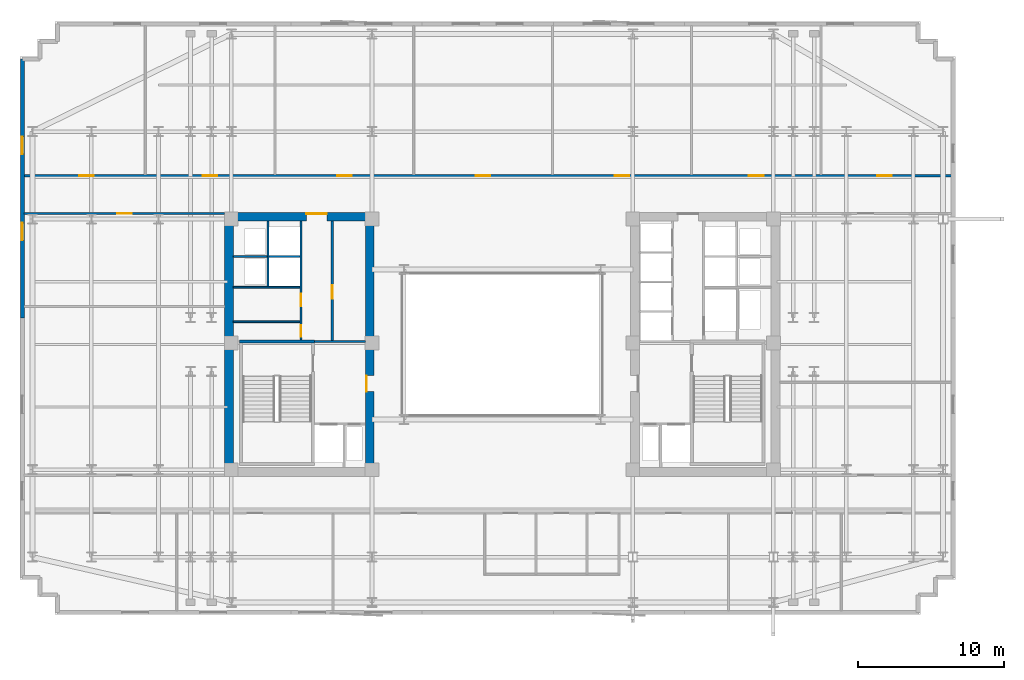
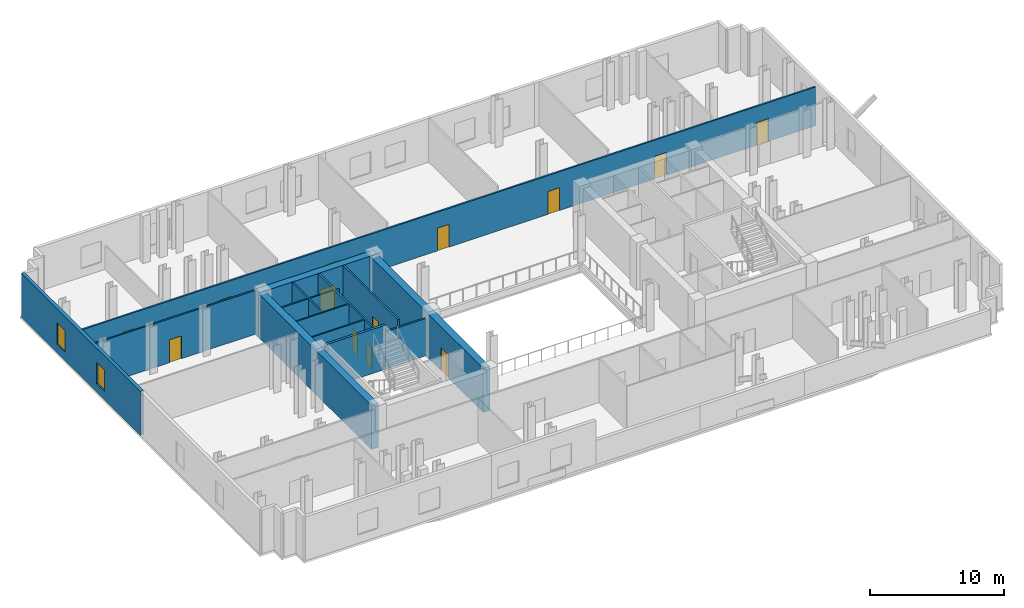
# One storey, part 5 of 9: 15 walls, 13 doors, 2 windows, 15 openings.
"""IFC4 building model written with IfcOpenShell, lengths in metres."""

from ifc_helpers import new_model, si_unit, direction, frame, frame_2d, origin, place, context, subcontext, project, spatial, rectangle, extrude, material, layer, layer_set, type_object, element, fill, save


model = new_model("IFC4")

# Units and contexts
model_context = context("Model", 3, precision=1e-05, world=origin(), true_north=direction((0.0, 1.0)))
body_context = subcontext(model_context, "Body", "Model", "MODEL_VIEW")
ifc_project = project(units=[si_unit("LENGTHUNIT", "METRE"), si_unit("AREAUNIT", "SQUARE_METRE"), si_unit("VOLUMEUNIT", "CUBIC_METRE"), si_unit("PLANEANGLEUNIT", "RADIAN"), si_unit("MASSUNIT", "GRAM", prefix="KILO")], contexts=[model_context])

# Site, building, storey
site_placement = place(None, origin())
site = spatial("IfcSite", under=ifc_project, at=site_placement, CompositionType="ELEMENT")
building_placement = place(site_placement, origin())
building = spatial("IfcBuilding", under=site, at=building_placement, Name="Velakula Bourse", CompositionType="ELEMENT")
storey_placement = place(building_placement, frame((0.0, 0.0, 151.89990234375)))
storey = spatial("IfcBuildingStorey", under=building, at=storey_placement, Name="L41", CompositionType="ELEMENT", Elevation=151.89990234375)

# Wall
ifc_material_1 = material(Name="Concrete M50 (fck 50 MPa)", Category="concrete")
ifc_layer_1 = layer(ifc_material_1, 0.2099609375, Name="Concrete M50 (fck 50 MPa)", Category="concrete")
ifc_layer_set_1 = layer_set([ifc_layer_1], Name="Concrete M50 (fck 50 MPa)")
wall_type_1 = type_object("IfcWallType", Name="WL-CORE-210", PredefinedType="SHEAR", material=ifc_layer_set_1)
wall_1_placement = place(storey_placement, frame((-12.889892578125, 0.205078125, 0.0), z_axis=(0.0, 0.0, 1.0), x_axis=(-1.0, 0.0, 0.0)))
element("IfcWall", 1, at=wall_1_placement, inside=storey, type_object=wall_type_1, Name="L41 Core W Stairwell Shear Wall N", PredefinedType="SHEAR", context=body_context, shape_type="SweptSolid", body=[
    extrude(rectangle(XDim=5.14013671875, YDim=0.2099609375, at=frame_2d((2.570068359375, 0.0))), origin(), (0.0, 0.0, 1.0), 4.02001953125),
])

# Wall, opening, door
ifc_material_2 = material(Name="Concrete M70 (fck 70 MPa)", Category="concrete")
ifc_layer_2 = layer(ifc_material_2, 0.60009765625, Name="Concrete M70 (fck 70 MPa)", Category="concrete")
ifc_layer_set_2 = layer_set([ifc_layer_2], Name="Concrete M70 (fck 70 MPa)")
wall_type_2 = type_object("IfcWallType", Name="WL-CORE-600", PredefinedType="SHEAR", material=ifc_layer_set_2)
wall_2_placement = place(storey_placement, frame((-19.050048828125, 8.75, 0.0), z_axis=(0.0, 0.0, 1.0), x_axis=(1.0, 0.0, 0.0)))
wall_2 = element("IfcWall", 2, at=wall_2_placement, inside=storey, type_object=wall_type_2, Name="L41 Core W Shear Wall N", PredefinedType="SHEAR", context=body_context, shape_type="SweptSolid", body=[
    extrude(rectangle(XDim=10.25, YDim=0.60009765625, at=frame_2d((5.125, 0.0))), origin(), (0.0, 0.0, 1.0), 4.02001953125),
])
opening_1_placement = place(wall_2_placement, frame((5.60009765625, 0.0, 0.0)))
opening_1 = element("IfcOpeningElement", 3, at=opening_1_placement, cuts=wall_2, Name="Opening D-LLW", PredefinedType="OPENING", context=body_context, shape_type="SweptSolid", body=[
    extrude(rectangle(XDim=1.39990234375, YDim=2.050048828125, at=frame_2d((0.699951171875, 1.02490234375))), frame((0.0, 0.31005859375, 0.0), z_axis=(0.0, -1.0, 0.0), x_axis=(1.0, 0.0, 0.0)), (0.0, 0.0, 1.0), 0.6201171875),
])
ifc_material_3 = material(Name="Fire-rated hardwood flush architectural door", Category="wood")
door_type_1 = type_object("IfcDoorType", Name="DR-DBL-FD60-1400", OperationType="DOUBLE_DOOR_SINGLE_SWING", PredefinedType="DOOR", material=ifc_material_3)
door_1_placement = place(opening_1_placement, origin())
door_1 = element("IfcDoor", 4, at=door_1_placement, inside=storey, type_object=door_type_1, Name="L41 Core W Lift Lobby Corridor Double Door", OperationType="DOUBLE_DOOR_SINGLE_SWING", OverallHeight=2.050048828125, OverallWidth=1.39990234375, PredefinedType="DOOR", context=body_context, shape_type="SweptSolid", body=[
    extrude(rectangle(XDim=1.39990234375, YDim=2.050048828125, at=frame_2d((0.699951171875, 1.02490234375))), frame((0.0, 0.2451171875, 0.0), z_axis=(0.0, -1.0, 0.0), x_axis=(1.0, 0.0, 0.0)), (0.0, 0.0, 1.0), 0.050048828125),
])
fill(opening_1, door_1)

# Wall
wall_3_placement = place(storey_placement, frame((-18.75, -8.449951171875, 0.0), z_axis=(0.0, 0.0, 1.0), x_axis=(0.0, 1.0, 0.0)))
element("IfcWall", 5, at=wall_3_placement, inside=storey, type_object=wall_type_2, Name="L41 Core W Shear Wall W", PredefinedType="SHEAR", context=body_context, shape_type="SweptSolid", body=[
    extrude(rectangle(XDim=16.89990234375, YDim=0.60009765625, at=frame_2d((8.449951171875, 0.0))), origin(), (0.0, 0.0, 1.0), 4.02001953125),
])

# Wall, opening, door
wall_4_placement = place(storey_placement, frame((-9.10009765625, -8.449951171875, 0.0), z_axis=(0.0, 0.0, 1.0), x_axis=(0.0, 1.0, 0.0)))
wall_4 = element("IfcWall", 6, at=wall_4_placement, inside=storey, type_object=wall_type_2, Name="L41 Core W Shear Wall E", PredefinedType="SHEAR", context=body_context, shape_type="SweptSolid", body=[
    extrude(rectangle(XDim=16.89990234375, YDim=0.60009765625, at=frame_2d((8.449951171875, 0.0))), origin(), (0.0, 0.0, 1.0), 4.02001953125),
])
opening_2_placement = place(wall_4_placement, frame((5.199951171875, 0.0, 0.0)))
opening_2 = element("IfcOpeningElement", 7, at=opening_2_placement, cuts=wall_4, Name="Opening D-FLW", PredefinedType="OPENING", context=body_context, shape_type="SweptSolid", body=[
    extrude(rectangle(XDim=1.10009765625, YDim=2.080078125, at=frame_2d((0.550048828125, 1.0400390625))), frame((0.0, 0.31005859375, 0.0), z_axis=(0.0, -1.0, 0.0), x_axis=(1.0, 0.0, 0.0)), (0.0, 0.0, 1.0), 0.6201171875),
])
ifc_material_4 = material(Name="Galvanised painted hollow steel fire door", Category="steel")
door_type_2 = type_object("IfcDoorType", Name="DR-FD120-1100", OperationType="NOTDEFINED", PredefinedType="DOOR", material=ifc_material_4)
door_2_placement = place(opening_2_placement, origin())
door_2 = element("IfcDoor", 8, at=door_2_placement, inside=storey, type_object=door_type_2, Name="L41 Firefighting Lobby W Corridor Fire Door", OperationType="SINGLE_SWING_LEFT", OverallHeight=2.080078125, OverallWidth=1.10009765625, PredefinedType="DOOR", context=body_context, shape_type="SweptSolid", body=[
    extrude(rectangle(XDim=1.10009765625, YDim=2.080078125, at=frame_2d((0.550048828125, 1.0400390625))), frame((0.0, 0.2548828125, 0.0), z_axis=(0.0, -1.0, 0.0), x_axis=(1.0, 0.0, 0.0)), (0.0, 0.0, 1.0), 0.050048828125),
])
fill(opening_2, door_2)

# Wall, openings, windows
ifc_material_5 = material(Name="Red kilned clay facing brick masonry", Category="masonry")
ifc_layer_3 = layer(ifc_material_5, 0.280029296875, Name="Red kilned clay facing brick masonry", Category="masonry")
ifc_layer_set_3 = layer_set([ifc_layer_3], Name="Red kilned clay facing brick masonry")
wall_type_3 = type_object("IfcWallType", Name="WL-EXT-BRK-280", PredefinedType="STANDARD", material=ifc_layer_set_3)
wall_5_placement = place(storey_placement, frame((-32.93994140625, 1.800048828125, 0.0), z_axis=(0.0, 0.0, 1.0), x_axis=(0.0, 1.0, 0.0)))
wall_5 = element("IfcWall", 9, at=wall_5_placement, inside=storey, type_object=wall_type_3, Name="L41 W Brick End Wall W2", PredefinedType="STANDARD", context=body_context, shape_type="SweptSolid", body=[
    extrude(rectangle(XDim=17.7900390625, YDim=0.280029296875, at=frame_2d((8.89501953125, 0.0))), origin(), (0.0, 0.0, 1.0), 4.0),
])
opening_3_placement = place(wall_5_placement, frame((5.330078125, 0.0, 0.760009765625)))
opening_3 = element("IfcOpeningElement", 10, at=opening_3_placement, cuts=wall_5, Name="Opening W-04", PredefinedType="OPENING", context=body_context, shape_type="SweptSolid", body=[
    extrude(rectangle(XDim=1.199951171875, YDim=1.949951171875, at=frame_2d((0.60009765625, 0.97509765625))), frame((0.0, 0.14990234375, 0.0), z_axis=(0.0, -1.0, 0.0), x_axis=(1.0, 0.0, 0.0)), (0.0, 0.0, 1.0), 0.300048828125),
])
opening_4_placement = place(wall_5_placement, frame((11.260009765625, 0.0, 0.760009765625)))
opening_4 = element("IfcOpeningElement", 11, at=opening_4_placement, cuts=wall_5, Name="Opening W-04", PredefinedType="OPENING", context=body_context, shape_type="SweptSolid", body=[
    extrude(rectangle(XDim=1.199951171875, YDim=1.949951171875, at=frame_2d((0.60009765625, 0.97509765625))), frame((0.0, 0.14990234375, 0.0), z_axis=(0.0, -1.0, 0.0), x_axis=(1.0, 0.0, 0.0)), (0.0, 0.0, 1.0), 0.300048828125),
])
ifc_material_6 = material(Name="Double-glazed solar-control Low-E glass", Category="glass")
window_type = type_object("IfcWindowType", Name="WIN-TWR-1200x2100", PartitioningType="SINGLE_PANEL", PredefinedType="WINDOW", material=ifc_material_6)
window_1_placement = place(opening_3_placement, origin())
window_1 = element("IfcWindow", 12, at=window_1_placement, inside=storey, type_object=window_type, Name="L41 Deep-Set Recessed Window 1", OverallHeight=1.949951171875, OverallWidth=1.199951171875, PartitioningType="SINGLE_PANEL", PredefinedType="WINDOW", context=body_context, shape_type="SweptSolid", body=[
    extrude(rectangle(XDim=1.199951171875, YDim=1.949951171875, at=frame_2d((0.60009765625, 0.97509765625))), frame((0.0, 0.030029296875, 0.0), z_axis=(0.0, -1.0, 0.0), x_axis=(1.0, 0.0, 0.0)), (0.0, 0.0, 1.0), 0.06005859375),
])
fill(opening_3, window_1)
window_2_placement = place(opening_4_placement, origin())
window_2 = element("IfcWindow", 13, at=window_2_placement, inside=storey, type_object=window_type, Name="L41 Deep-Set Recessed Window 2", OverallHeight=1.949951171875, OverallWidth=1.199951171875, PartitioningType="SINGLE_PANEL", PredefinedType="WINDOW", context=body_context, shape_type="SweptSolid", body=[
    extrude(rectangle(XDim=1.199951171875, YDim=1.949951171875, at=frame_2d((0.60009765625, 0.97509765625))), frame((0.0, 0.030029296875, 0.0), z_axis=(0.0, -1.0, 0.0), x_axis=(1.0, 0.0, 0.0)), (0.0, 0.0, 1.0), 0.06005859375),
])
fill(opening_4, window_2)

# Walls
ifc_material_7 = material(Name="Fire-rated double-layer gypsum drywall partition", Category="gypsum")
ifc_layer_4 = layer(ifc_material_7, 0.1201171875, Name="Fire-rated double-layer gypsum drywall partition", Category="gypsum")
ifc_layer_set_4 = layer_set([ifc_layer_4], Name="Fire-rated double-layer gypsum drywall partition")
wall_type_4 = type_object("IfcWallType", Name="WL-PART-120", PredefinedType="STANDARD", material=ifc_layer_set_4)
wall_6_placement = place(storey_placement, frame((-18.449951171875, 3.919921875, 0.0), z_axis=(0.0, 0.0, 1.0), x_axis=(1.0, 0.0, 0.0)))
element("IfcWall", 14, at=wall_6_placement, inside=storey, type_object=wall_type_4, Name="L41 Interior Partition WL-CRW-L41-HI-S", PredefinedType="STANDARD", context=body_context, shape_type="SweptSolid", body=[
    extrude(rectangle(XDim=4.550048828125, YDim=0.1201171875, at=frame_2d((2.27490234375, 0.0))), origin(), (0.0, 0.0, 1.0), 4.0),
])
wall_7_placement = place(storey_placement, frame((-18.449951171875, 6.030029296875, 0.0), z_axis=(0.0, 0.0, 1.0), x_axis=(1.0, 0.0, 0.0)))
element("IfcWall", 15, at=wall_7_placement, inside=storey, type_object=wall_type_4, Name="L41 Interior Partition WL-CRW-L41-RIS-MID", PredefinedType="STANDARD", context=body_context, shape_type="SweptSolid", body=[
    extrude(rectangle(XDim=2.300048828125, YDim=0.1201171875, at=frame_2d((1.14990234375, 0.0))), origin(), (0.0, 0.0, 1.0), 4.0),
])
wall_8_placement = place(storey_placement, frame((-16.074951171875, 3.97998046875, 0.0), z_axis=(0.0, 0.0, 1.0), x_axis=(0.0, 1.0, 0.0)))
element("IfcWall", 16, at=wall_8_placement, inside=storey, type_object=wall_type_4, Name="L41 Interior Partition WL-CRW-L41-RIS-F", PredefinedType="STANDARD", context=body_context, shape_type="SweptSolid", body=[
    extrude(rectangle(XDim=4.469970703125, YDim=0.1201171875, at=frame_2d((2.23486328125, 0.0))), origin(), (0.0, 0.0, 1.0), 4.0),
])
wall_9_placement = place(storey_placement, frame((-16.0, 6.030029296875, 0.0), z_axis=(0.0, 0.0, 1.0), x_axis=(1.0, 0.0, 0.0)))
element("IfcWall", 17, at=wall_9_placement, inside=storey, type_object=wall_type_4, Name="L41 Interior Partition WL-CRW-L41-HI-DIV", PredefinedType="STANDARD", context=body_context, shape_type="SweptSolid", body=[
    extrude(rectangle(XDim=2.10009765625, YDim=0.1201171875, at=frame_2d((1.050048828125, 0.0))), origin(), (0.0, 0.0, 1.0), 4.0),
])
wall_10_placement = place(storey_placement, frame((-18.449951171875, 1.550048828125, 0.0), z_axis=(0.0, 0.0, 1.0), x_axis=(1.0, 0.0, 0.0)))
element("IfcWall", 18, at=wall_10_placement, inside=storey, type_object=wall_type_4, Name="L41 Interior Partition WL-CRW-L41-K1", PredefinedType="STANDARD", context=body_context, shape_type="SweptSolid", body=[
    extrude(rectangle(XDim=4.550048828125, YDim=0.1201171875, at=frame_2d((2.27490234375, 0.0))), origin(), (0.0, 0.0, 1.0), 4.0),
])

# Wall, openings, doors
ifc_layer_5 = layer(ifc_material_7, 0.139892578125, Name="Fire-rated double-layer gypsum drywall partition", Category="gypsum")
ifc_layer_set_5 = layer_set([ifc_layer_5], Name="Fire-rated double-layer gypsum drywall partition")
wall_type_5 = type_object("IfcWallType", Name="WL-PART-140", PredefinedType="STANDARD", material=ifc_layer_set_5)
wall_11_placement = place(storey_placement, frame((-32.820068359375, 11.570068359375, 0.0), z_axis=(0.0, 0.0, 1.0), x_axis=(1.0, 0.0, 0.0)))
wall_11 = element("IfcWall", 19, at=wall_11_placement, inside=storey, type_object=wall_type_5, Name="L41 Interior Partition WL-INT-L41-N-CORR", PredefinedType="STANDARD", context=body_context, shape_type="SweptSolid", body=[
    extrude(rectangle(XDim=63.64013671875, YDim=0.139892578125, at=frame_2d((31.820068359375, 0.0))), origin(), (0.0, 0.0, 1.0), 3.545166015625),
])
opening_5_placement = place(wall_11_placement, frame((3.784912109375, 0.0, 0.0)))
opening_5 = element("IfcOpeningElement", 20, at=opening_5_placement, cuts=wall_11, Name="Opening D-OF1", PredefinedType="OPENING", context=body_context, shape_type="SweptSolid", body=[
    extrude(rectangle(XDim=1.0, YDim=2.080078125, at=frame_2d((0.5, 1.0400390625))), frame((0.0, 0.079833984375, 0.0), z_axis=(0.0, -1.0, 0.0), x_axis=(1.0, 0.0, 0.0)), (0.0, 0.0, 1.0), 0.159912109375),
])
opening_6_placement = place(wall_11_placement, frame((12.263916015625, 0.0, 0.0)))
opening_6 = element("IfcOpeningElement", 21, at=opening_6_placement, cuts=wall_11, Name="Opening D-OF1", PredefinedType="OPENING", context=body_context, shape_type="SweptSolid", body=[
    extrude(rectangle(XDim=1.0, YDim=2.080078125, at=frame_2d((0.5, 1.0400390625))), frame((0.0, 0.079833984375, 0.0), z_axis=(0.0, -1.0, 0.0), x_axis=(1.0, 0.0, 0.0)), (0.0, 0.0, 1.0), 0.159912109375),
])
opening_7_placement = place(wall_11_placement, frame((21.47412109375, 0.0, 0.0)))
opening_7 = element("IfcOpeningElement", 22, at=opening_7_placement, cuts=wall_11, Name="Opening D-OF1", PredefinedType="OPENING", context=body_context, shape_type="SweptSolid", body=[
    extrude(rectangle(XDim=1.0, YDim=2.080078125, at=frame_2d((0.5, 1.0400390625))), frame((0.0, 0.079833984375, 0.0), z_axis=(0.0, -1.0, 0.0), x_axis=(1.0, 0.0, 0.0)), (0.0, 0.0, 1.0), 0.159912109375),
])
opening_8_placement = place(wall_11_placement, frame((31.001953125, 0.0, 0.0)))
opening_8 = element("IfcOpeningElement", 23, at=opening_8_placement, cuts=wall_11, Name="Opening D-OF1", PredefinedType="OPENING", context=body_context, shape_type="SweptSolid", body=[
    extrude(rectangle(XDim=1.0, YDim=2.080078125, at=frame_2d((0.5, 1.0400390625))), frame((0.0, 0.079833984375, 0.0), z_axis=(0.0, -1.0, 0.0), x_axis=(1.0, 0.0, 0.0)), (0.0, 0.0, 1.0), 0.159912109375),
])
opening_9_placement = place(wall_11_placement, frame((40.530029296875, 0.0, 0.0)))
opening_9 = element("IfcOpeningElement", 24, at=opening_9_placement, cuts=wall_11, Name="Opening D-OF1", PredefinedType="OPENING", context=body_context, shape_type="SweptSolid", body=[
    extrude(rectangle(XDim=1.0, YDim=2.080078125, at=frame_2d((0.5, 1.0400390625))), frame((0.0, 0.079833984375, 0.0), z_axis=(0.0, -1.0, 0.0), x_axis=(1.0, 0.0, 0.0)), (0.0, 0.0, 1.0), 0.159912109375),
])
opening_10_placement = place(wall_11_placement, frame((49.740478515625, 0.0, 0.0)))
opening_10 = element("IfcOpeningElement", 25, at=opening_10_placement, cuts=wall_11, Name="Opening D-OF1", PredefinedType="OPENING", context=body_context, shape_type="SweptSolid", body=[
    extrude(rectangle(XDim=1.0, YDim=2.080078125, at=frame_2d((0.5, 1.0400390625))), frame((0.0, 0.079833984375, 0.0), z_axis=(0.0, -1.0, 0.0), x_axis=(1.0, 0.0, 0.0)), (0.0, 0.0, 1.0), 0.159912109375),
])
opening_11_placement = place(wall_11_placement, frame((58.53759765625, 0.0, 0.0)))
opening_11 = element("IfcOpeningElement", 26, at=opening_11_placement, cuts=wall_11, Name="Opening D-OF1", PredefinedType="OPENING", context=body_context, shape_type="SweptSolid", body=[
    extrude(rectangle(XDim=1.0, YDim=2.080078125, at=frame_2d((0.5, 1.0400390625))), frame((0.0, 0.079833984375, 0.0), z_axis=(0.0, -1.0, 0.0), x_axis=(1.0, 0.0, 0.0)), (0.0, 0.0, 1.0), 0.159912109375),
])
door_type_3 = type_object("IfcDoorType", Name="DR-OFF-1000", OperationType="NOTDEFINED", PredefinedType="DOOR", material=ifc_material_3)
door_3_placement = place(opening_5_placement, origin())
door_3 = element("IfcDoor", 27, at=door_3_placement, inside=storey, type_object=door_type_3, Name="L41 Bourse Executive Workspace Door", OperationType="SINGLE_SWING_LEFT", OverallHeight=2.080078125, OverallWidth=1.0, PredefinedType="DOOR", context=body_context, shape_type="SweptSolid", body=[
    extrude(rectangle(XDim=1.0, YDim=2.080078125, at=frame_2d((0.5, 1.0400390625))), frame((0.0, 0.02490234375, 0.0), z_axis=(0.0, -1.0, 0.0), x_axis=(1.0, 0.0, 0.0)), (0.0, 0.0, 1.0), 0.050048828125),
])
fill(opening_5, door_3)
door_4_placement = place(opening_6_placement, origin())
door_4 = element("IfcDoor", 28, at=door_4_placement, inside=storey, type_object=door_type_3, Name="L41 Clearing Committee Room Door", OperationType="SINGLE_SWING_RIGHT", OverallHeight=2.080078125, OverallWidth=1.0, PredefinedType="DOOR", context=body_context, shape_type="SweptSolid", body=[
    extrude(rectangle(XDim=1.0, YDim=2.080078125, at=frame_2d((0.5, 1.0400390625))), frame((0.0, 0.02490234375, 0.0), z_axis=(0.0, -1.0, 0.0), x_axis=(1.0, 0.0, 0.0)), (0.0, 0.0, 1.0), 0.050048828125),
])
fill(opening_6, door_4)
door_5_placement = place(opening_7_placement, origin())
door_5 = element("IfcDoor", 29, at=door_5_placement, inside=storey, type_object=door_type_3, Name="L41 Tea Room Kitchenette Door", OperationType="SINGLE_SWING_LEFT", OverallHeight=2.080078125, OverallWidth=1.0, PredefinedType="DOOR", context=body_context, shape_type="SweptSolid", body=[
    extrude(rectangle(XDim=1.0, YDim=2.080078125, at=frame_2d((0.5, 1.0400390625))), frame((0.0, 0.02490234375, 0.0), z_axis=(0.0, -1.0, 0.0), x_axis=(1.0, 0.0, 0.0)), (0.0, 0.0, 1.0), 0.050048828125),
])
fill(opening_7, door_5)
door_6_placement = place(opening_8_placement, origin())
door_6 = element("IfcDoor", 30, at=door_6_placement, inside=storey, type_object=door_type_3, Name="L41 Quiet Financial Library Door", OperationType="SINGLE_SWING_RIGHT", OverallHeight=2.080078125, OverallWidth=1.0, PredefinedType="DOOR", context=body_context, shape_type="SweptSolid", body=[
    extrude(rectangle(XDim=1.0, YDim=2.080078125, at=frame_2d((0.5, 1.0400390625))), frame((0.0, 0.02490234375, 0.0), z_axis=(0.0, -1.0, 0.0), x_axis=(1.0, 0.0, 0.0)), (0.0, 0.0, 1.0), 0.050048828125),
])
fill(opening_8, door_6)
door_7_placement = place(opening_9_placement, origin())
door_7 = element("IfcDoor", 31, at=door_7_placement, inside=storey, type_object=door_type_3, Name="L41 Issuer Relations Office Door", OperationType="SINGLE_SWING_LEFT", OverallHeight=2.080078125, OverallWidth=1.0, PredefinedType="DOOR", context=body_context, shape_type="SweptSolid", body=[
    extrude(rectangle(XDim=1.0, YDim=2.080078125, at=frame_2d((0.5, 1.0400390625))), frame((0.0, 0.02490234375, 0.0), z_axis=(0.0, -1.0, 0.0), x_axis=(1.0, 0.0, 0.0)), (0.0, 0.0, 1.0), 0.050048828125),
])
fill(opening_9, door_7)
door_8_placement = place(opening_10_placement, origin())
door_8 = element("IfcDoor", 32, at=door_8_placement, inside=storey, type_object=door_type_3, Name="L41 Bourse Executive Workspace Door", OperationType="SINGLE_SWING_RIGHT", OverallHeight=2.080078125, OverallWidth=1.0, PredefinedType="DOOR", context=body_context, shape_type="SweptSolid", body=[
    extrude(rectangle(XDim=1.0, YDim=2.080078125, at=frame_2d((0.5, 1.0400390625))), frame((0.0, 0.02490234375, 0.0), z_axis=(0.0, -1.0, 0.0), x_axis=(1.0, 0.0, 0.0)), (0.0, 0.0, 1.0), 0.050048828125),
])
fill(opening_10, door_8)
door_9_placement = place(opening_11_placement, origin())
door_9 = element("IfcDoor", 33, at=door_9_placement, inside=storey, type_object=door_type_3, Name="L41 Company Secretary Office Door", OperationType="SINGLE_SWING_LEFT", OverallHeight=2.080078125, OverallWidth=1.0, PredefinedType="DOOR", context=body_context, shape_type="SweptSolid", body=[
    extrude(rectangle(XDim=1.0, YDim=2.080078125, at=frame_2d((0.5, 1.0400390625))), frame((0.0, 0.02490234375, 0.0), z_axis=(0.0, -1.0, 0.0), x_axis=(1.0, 0.0, 0.0)), (0.0, 0.0, 1.0), 0.050048828125),
])
fill(opening_11, door_9)

# Wall, opening, door
wall_12_placement = place(storey_placement, frame((-32.820068359375, 8.97998046875, 0.0), z_axis=(0.0, 0.0, 1.0), x_axis=(1.0, 0.0, 0.0)))
wall_12 = element("IfcWall", 34, at=wall_12_placement, inside=storey, type_object=wall_type_5, Name="L41 Interior Partition WL-INT-L41-W-NC", PredefinedType="STANDARD", context=body_context, shape_type="SweptSolid", body=[
    extrude(rectangle(XDim=13.77001953125, YDim=0.139892578125, at=frame_2d((6.885009765625, 0.0))), origin(), (0.0, 0.0, 1.0), 4.0),
])
opening_12_placement = place(wall_12_placement, frame((6.385009765625, 0.0, 0.0)))
opening_12 = element("IfcOpeningElement", 35, at=opening_12_placement, cuts=wall_12, Name="Opening D-OF1", PredefinedType="OPENING", context=body_context, shape_type="SweptSolid", body=[
    extrude(rectangle(XDim=1.0, YDim=2.080078125, at=frame_2d((0.5, 1.0400390625))), frame((0.0, 0.079833984375, 0.0), z_axis=(0.0, -1.0, 0.0), x_axis=(1.0, 0.0, 0.0)), (0.0, 0.0, 1.0), 0.159912109375),
])
door_10_placement = place(opening_12_placement, origin())
door_10 = element("IfcDoor", 36, at=door_10_placement, inside=storey, type_object=door_type_3, Name="L41 Chief Risk Officer Chamber Door", OperationType="SINGLE_SWING_LEFT", OverallHeight=2.080078125, OverallWidth=1.0, PredefinedType="DOOR", context=body_context, shape_type="SweptSolid", body=[
    extrude(rectangle(XDim=1.0, YDim=2.080078125, at=frame_2d((0.5, 1.0400390625))), frame((0.0, 0.02490234375, 0.0), z_axis=(0.0, -1.0, 0.0), x_axis=(1.0, 0.0, 0.0)), (0.0, 0.0, 1.0), 0.050048828125),
])
fill(opening_12, door_10)

# Wall
ifc_material_8 = material(Name="Autoclaved aerated concrete blockwork masonry", Category="masonry")
ifc_layer_6 = layer(ifc_material_8, 0.14990234375, Name="Autoclaved aerated concrete blockwork masonry", Category="masonry")
ifc_layer_set_6 = layer_set([ifc_layer_6], Name="Autoclaved aerated concrete blockwork masonry")
wall_type_6 = type_object("IfcWallType", Name="WL-SHAFT-150", PredefinedType="STANDARD", material=ifc_layer_set_6)
wall_13_placement = place(storey_placement, frame((-12.889892578125, 0.18994140625, 0.0), z_axis=(0.0, 0.0, 1.0), x_axis=(1.0, 0.0, 0.0)))
element("IfcWall", 37, at=wall_13_placement, inside=storey, type_object=wall_type_6, Name="L41 Interior Partition WL-CRW-L41-FF-TOP", PredefinedType="STANDARD", context=body_context, shape_type="SweptSolid", body=[
    extrude(rectangle(XDim=3.489990234375, YDim=0.14990234375, at=frame_2d((1.7451171875, 0.0))), origin(), (0.0, 0.0, 1.0), 3.39501953125),
])

# Wall, opening, door
wall_14_placement = place(storey_placement, frame((-11.675048828125, 0.27001953125, 0.0), z_axis=(0.0, 0.0, 1.0), x_axis=(0.0, 1.0, 0.0)))
wall_14 = element("IfcWall", 38, at=wall_14_placement, inside=storey, type_object=wall_type_6, Name="L41 Interior Partition WL-CRW-L41-BANK-F", PredefinedType="STANDARD", context=body_context, shape_type="SweptSolid", body=[
    extrude(rectangle(XDim=8.179931640625, YDim=0.14990234375, at=frame_2d((4.08984375, 0.0))), origin(), (0.0, 0.0, 1.0), 4.0),
])
opening_13_placement = place(wall_14_placement, frame((2.85009765625, 0.0, 0.0)))
opening_13 = element("IfcOpeningElement", 39, at=opening_13_placement, cuts=wall_14, Name="Opening D-RC4", PredefinedType="OPENING", context=body_context, shape_type="SweptSolid", body=[
    extrude(rectangle(XDim=0.949951171875, YDim=2.050048828125, at=frame_2d((0.47509765625, 1.02490234375))), frame((0.0, 0.0849609375, 0.0), z_axis=(0.0, -1.0, 0.0), x_axis=(1.0, 0.0, 0.0)), (0.0, 0.0, 1.0), 0.169921875),
])
door_type_4 = type_object("IfcDoorType", Name="DR-FD60-950x2050", OperationType="NOTDEFINED", PredefinedType="DOOR", material=ifc_material_3)
door_11_placement = place(opening_13_placement, origin())
door_11 = element("IfcDoor", 40, at=door_11_placement, inside=storey, type_object=door_type_4, Name="L41 Reclaimed Multi-Bay Archive Room Door", OperationType="SINGLE_SWING_RIGHT", OverallHeight=2.050048828125, OverallWidth=0.949951171875, PredefinedType="DOOR", context=body_context, shape_type="SweptSolid", body=[
    extrude(rectangle(XDim=0.949951171875, YDim=2.050048828125, at=frame_2d((0.47509765625, 1.02490234375))), frame((0.0, 0.02490234375, 0.0), z_axis=(0.0, -1.0, 0.0), x_axis=(1.0, 0.0, 0.0)), (0.0, 0.0, 1.0), 0.050048828125),
])
fill(opening_13, door_11)

# Wall, openings, doors
wall_15_placement = place(storey_placement, frame((-13.824951171875, 0.27001953125, 0.0), z_axis=(0.0, 0.0, 1.0), x_axis=(0.0, 1.0, 0.0)))
wall_15 = element("IfcWall", 41, at=wall_15_placement, inside=storey, type_object=wall_type_6, Name="L41 Interior Partition WL-CRW-L41-OUT-F", PredefinedType="STANDARD", context=body_context, shape_type="SweptSolid", body=[
    extrude(rectangle(XDim=8.179931640625, YDim=0.14990234375, at=frame_2d((4.08984375, 0.0))), origin(), (0.0, 0.0, 1.0), 4.0),
])
opening_14_placement = place(wall_15_placement, frame((0.25, 0.0, 0.0)))
opening_14 = element("IfcOpeningElement", 42, at=opening_14_placement, cuts=wall_15, Name="Opening D-CS1", PredefinedType="OPENING", context=body_context, shape_type="SweptSolid", body=[
    extrude(rectangle(XDim=0.800048828125, YDim=2.050048828125, at=frame_2d((0.39990234375, 1.02490234375))), frame((0.0, 0.0849609375, 0.0), z_axis=(0.0, -1.0, 0.0), x_axis=(1.0, 0.0, 0.0)), (0.0, 0.0, 1.0), 0.169921875),
])
opening_15_placement = place(wall_15_placement, frame((2.35009765625, 0.0, 0.0)))
opening_15 = element("IfcOpeningElement", 43, at=opening_15_placement, cuts=wall_15, Name="Opening D-CW1", PredefinedType="OPENING", context=body_context, shape_type="SweptSolid", body=[
    extrude(rectangle(XDim=0.85009765625, YDim=2.050048828125, at=frame_2d((0.425048828125, 1.02490234375))), frame((0.0, 0.0849609375, 0.0), z_axis=(0.0, -1.0, 0.0), x_axis=(1.0, 0.0, 0.0)), (0.0, 0.0, 1.0), 0.169921875),
])
door_type_5 = type_object("IfcDoorType", Name="DR-INT-850", OperationType="NOTDEFINED", PredefinedType="DOOR", material=ifc_material_3)
door_12_placement = place(opening_15_placement, origin())
door_12 = element("IfcDoor", 44, at=door_12_placement, inside=storey, type_object=door_type_5, Name="L41 Core Janitor Closet Door", OperationType="SINGLE_SWING_RIGHT", OverallHeight=2.050048828125, OverallWidth=0.85009765625, PredefinedType="DOOR", context=body_context, shape_type="SweptSolid", body=[
    extrude(rectangle(XDim=0.85009765625, YDim=2.050048828125, at=frame_2d((0.425048828125, 1.02490234375))), frame((0.0, 0.02490234375, 0.0), z_axis=(0.0, -1.0, 0.0), x_axis=(1.0, 0.0, 0.0)), (0.0, 0.0, 1.0), 0.050048828125),
])
fill(opening_15, door_12)
door_type_6 = type_object("IfcDoorType", Name="DR-RISER-800x2050", OperationType="NOTDEFINED", PredefinedType="DOOR", material=ifc_material_4)
door_13_placement = place(opening_14_placement, origin())
door_13 = element("IfcDoor", 45, at=door_13_placement, inside=storey, type_object=door_type_6, Name="L41 Core Cleaner Store Door", OperationType="SINGLE_SWING_LEFT", OverallHeight=2.050048828125, OverallWidth=0.800048828125, PredefinedType="DOOR", context=body_context, shape_type="SweptSolid", body=[
    extrude(rectangle(XDim=0.800048828125, YDim=2.050048828125, at=frame_2d((0.39990234375, 1.02490234375))), frame((0.0, 0.02490234375, 0.0), z_axis=(0.0, -1.0, 0.0), x_axis=(1.0, 0.0, 0.0)), (0.0, 0.0, 1.0), 0.050048828125),
])
fill(opening_14, door_13)

save(model, "model.ifc")
